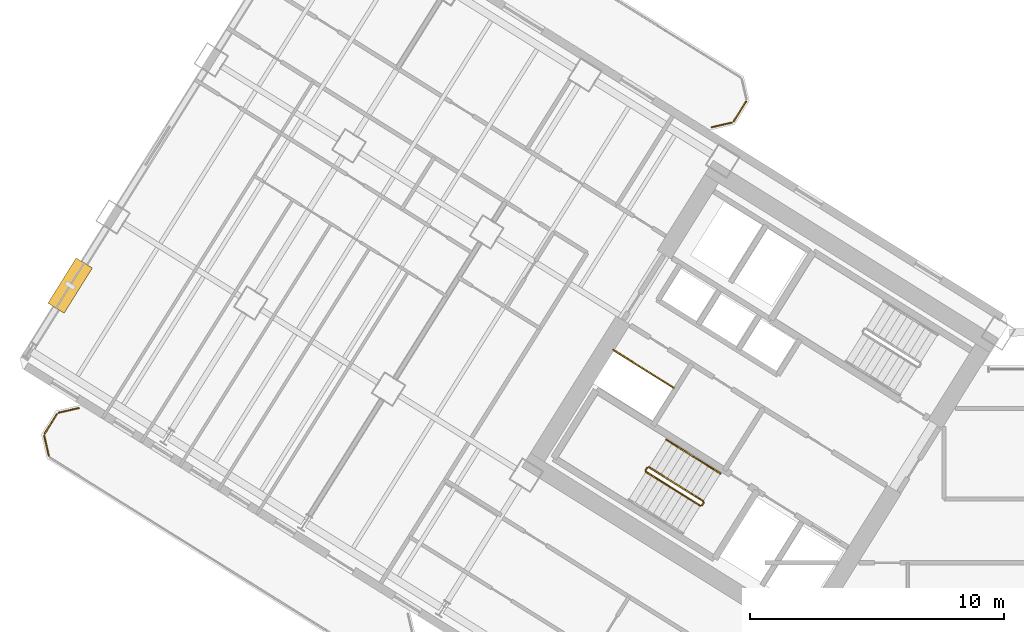
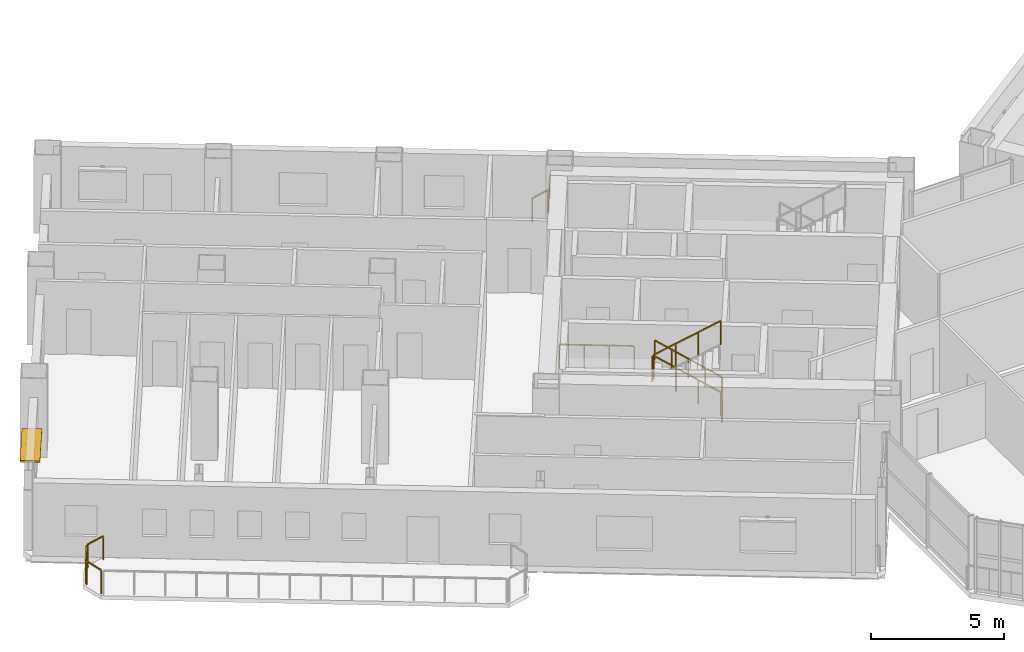
# One storey, part 22 of 24: 12 railings, 1 shading device.
"""IFC4 building model written with IfcOpenShell, lengths in metres."""

import ifcopenshell
import ifcopenshell.guid

model = None  # the IFC model being written
_history = None  # IfcOwnerHistory: only IFC2X3 demands one
_inside = {}  # id of a spatial element -> (the spatial element, [elements in it])
_under = {}  # id of a project, library or spatial element -> (it, [spatial elements below it])
_declared = {}  # id of a project -> (the project, [libraries it declares])
_typed = {}  # id of a type object -> (the type object, [elements of that type])
_made_of = {}  # id of a material, layer set ... -> (it, [elements and type objects made of it])


def new_model(schema):
    """Start an empty IFC model of exactly this schema.

    Asked for "IFC4X3", IfcOpenShell would pick the latest addendum, in which some entities
    have other attributes; the version numbers below select the first issue.
    IFC2X3 requires an IfcOwnerHistory on every rooted entity: one is made here for all.
    """
    global model, _history
    if schema == "IFC4X3":
        model = ifcopenshell.file(schema_version=(4, 3, 0, 0))
    else:
        model = ifcopenshell.file(schema=schema)
    _inside.clear()
    _under.clear()
    _declared.clear()
    _typed.clear()
    _made_of.clear()
    _history = None
    if model.schema == "IFC2X3":
        org = make("IfcOrganization", Name="unknown")
        user = make(
            "IfcPersonAndOrganization",
            ThePerson=make("IfcPerson", FamilyName="unknown"),
            TheOrganization=org,
        )
        app = make(
            "IfcApplication",
            ApplicationDeveloper=org,
            Version="unknown",
            ApplicationFullName="unknown",
            ApplicationIdentifier="unknown",
        )
        _history = make(
            "IfcOwnerHistory",
            OwningUser=user,
            OwningApplication=app,
            ChangeAction="ADDED",
            CreationDate=0,
        )
    return model


def make(cls, **values):
    """One entity of the class cls with the attributes given. An attribute that is None is left unset."""
    return model.create_entity(
        cls, **{name: value for name, value in values.items() if value is not None}
    )


def rooted(cls, **values):
    """An entity with a GlobalId (a new one), such as an element, a storey or a relation."""
    return make(cls, GlobalId=ifcopenshell.guid.new(), OwnerHistory=_history, **values)


def si_unit(unit_type, name, prefix=None):
    """IfcSIUnit, for example si_unit("LENGTHUNIT", "METRE", prefix="MILLI")."""
    return make("IfcSIUnit", UnitType=unit_type, Prefix=prefix, Name=name)


def assignment(units):
    """IfcUnitAssignment: the units of a project."""
    return None if units is None else make("IfcUnitAssignment", Units=units)


def point(xyz):
    """IfcCartesianPoint."""
    return None if xyz is None else make("IfcCartesianPoint", Coordinates=xyz)


def direction(xyz):
    """IfcDirection."""
    return None if xyz is None else make("IfcDirection", DirectionRatios=xyz)


def frame(location, z_axis=None, x_axis=None):
    """IfcAxis2Placement3D, a coordinate frame: its origin and axes. An axis left out is left unset."""
    return make(
        "IfcAxis2Placement3D",
        Location=point(location),
        Axis=direction(z_axis),
        RefDirection=direction(x_axis),
    )


def frame_2d(location, x_axis=None):
    """IfcAxis2Placement2D, a coordinate frame in the plane: its origin and x axis."""
    return make(
        "IfcAxis2Placement2D", Location=point(location), RefDirection=direction(x_axis)
    )


def origin():
    """The frame at (0, 0, 0) with its axes left unset."""
    return frame((0.0, 0.0, 0.0))


def origin_2d():
    """The frame at (0, 0) in the plane with its x axis left unset."""
    return frame_2d((0.0, 0.0))


def place(relative_to, where):
    """IfcLocalPlacement: puts the frame where relative to a parent placement (None: the world)."""
    return make(
        "IfcLocalPlacement", PlacementRelTo=relative_to, RelativePlacement=where
    )


def context(
    kind, dimensions, precision=None, world=None, true_north=None, identifier=None
):
    """IfcGeometricRepresentationContext, for example the 3D "Model" context."""
    return make(
        "IfcGeometricRepresentationContext",
        ContextIdentifier=identifier,
        ContextType=kind,
        CoordinateSpaceDimension=dimensions,
        Precision=precision,
        WorldCoordinateSystem=world,
        TrueNorth=true_north,
    )


def subcontext(parent, identifier, kind, view, scale=None):
    """IfcGeometricRepresentationSubContext, for example "Body" below "Model"."""
    return make(
        "IfcGeometricRepresentationSubContext",
        ContextIdentifier=identifier,
        ContextType=kind,
        ParentContext=parent,
        TargetScale=scale,
        TargetView=view,
    )


def project(units=None, contexts=None):
    """IfcProject with its units and contexts."""
    return rooted(
        "IfcProject",
        Name="project",
        RepresentationContexts=contexts,
        UnitsInContext=assignment(units),
    )


def spatial(cls, under=None, at=None, **own):
    """A site, building, storey or space (cls), placed at a placement, below another one or the project."""
    s = rooted(cls, ObjectPlacement=at, **own)
    if under is not None:
        _under.setdefault(under.id(), (under, []))[1].append(s)
    return s


def profile(cls, at=None, kind="AREA", **sizes):
    """A parametric profile (cls). Its sizes go by their IFC names, for example OverallWidth=200.0."""
    return make(cls, ProfileType=kind, Position=at, **sizes)


def rectangle(**sizes):
    """IfcRectangleProfileDef."""
    return profile("IfcRectangleProfileDef", **sizes)


def extrude(swept, where, along, depth):
    """IfcExtrudedAreaSolid: the profile swept, set in the frame where, extruded along a direction by depth."""
    return make(
        "IfcExtrudedAreaSolid",
        SweptArea=swept,
        Position=where,
        ExtrudedDirection=direction(along),
        Depth=depth,
    )


def shape(context_of_items, identifier, shape_type, items):
    """IfcShapeRepresentation: the items that make up one representation, for example the "Body"."""
    return make(
        "IfcShapeRepresentation",
        ContextOfItems=context_of_items,
        RepresentationIdentifier=identifier,
        RepresentationType=shape_type,
        Items=items,
    )


def source(mapping_origin, context_of_items, identifier, shape_type, items):
    """IfcRepresentationMap: a shape defined once, which mapped items show again and again."""
    return make(
        "IfcRepresentationMap",
        MappingOrigin=mapping_origin,
        MappedRepresentation=shape(context_of_items, identifier, shape_type, items),
    )


def transform(
    local_origin,
    x_axis=None,
    y_axis=None,
    z_axis=None,
    scale=None,
    scale2=None,
    scale3=None,
    uniform=True,
):
    """IfcCartesianTransformationOperator3D, or its non-uniform kind. x_axis, y_axis, z_axis: its Axis1, 2, 3."""
    if uniform:
        return make(
            "IfcCartesianTransformationOperator3D",
            Axis1=direction(x_axis),
            Axis2=direction(y_axis),
            LocalOrigin=point(local_origin),
            Scale=scale,
            Axis3=direction(z_axis),
        )
    return make(
        "IfcCartesianTransformationOperator3DnonUniform",
        Axis1=direction(x_axis),
        Axis2=direction(y_axis),
        LocalOrigin=point(local_origin),
        Scale=scale,
        Axis3=direction(z_axis),
        Scale2=scale2,
        Scale3=scale3,
    )


def mapped(mapping_source, mapping_target):
    """IfcMappedItem: shows the shape of a source again, moved by a transform."""
    return make(
        "IfcMappedItem", MappingSource=mapping_source, MappingTarget=mapping_target
    )


def material(Name=None, Category=None):
    """IfcMaterial."""
    return make("IfcMaterial", Name=Name, Category=Category)


def layer(
    of_material, thickness, ventilated=None, Name=None, Category=None, Priority=None
):
    """IfcMaterialLayer: one layer of a wall or slab, of a material (None: an air gap)."""
    return make(
        "IfcMaterialLayer",
        Material=of_material,
        LayerThickness=thickness,
        IsVentilated=ventilated,
        Name=Name,
        Category=Category,
        Priority=Priority,
    )


def layer_set(layers, Name=None):
    """IfcMaterialLayerSet."""
    return make("IfcMaterialLayerSet", MaterialLayers=layers, LayerSetName=Name)


def made_of(thing, what):
    """Note that an element or type object is made of a material, layer set ...; save() writes the relation."""
    if what is not None:
        _made_of.setdefault(what.id(), (what, []))[1].append(thing)
    return thing


def type_object(cls, material=None, **own):
    """A type object (cls), such as IfcWallType, which elements share."""
    return made_of(rooted(cls, **own), material)


def element(
    cls,
    number,
    at=None,
    inside=None,
    cuts=None,
    type_object=None,
    material=None,
    context=None,
    identifier="Body",
    shape_type=None,
    held_by="IfcProductDefinitionShape",
    body=None,
    shapes=None,
    **own,
):
    """One element of the class cls, such as IfcWall. Its Tag is "e" and its number.

    at: its placement. inside: the storey or other place that contains it. cuts: it is an
    opening in that element (IfcRelVoidsElement). A single representation is given by context,
    identifier, shape_type and body (its items); several are given by shapes. held_by: the class
    of the entity that holds the representations. save() writes the other relations.
    """
    e = rooted(cls, Tag="e%d" % number, ObjectPlacement=at, **own)
    if body is not None:
        shapes = [shape(context, identifier, shape_type, body)]
    if shapes is not None:
        e.Representation = make(held_by, Representations=shapes)
    if inside is not None:
        _inside.setdefault(inside.id(), (inside, []))[1].append(e)
    if cuts is not None:
        rooted(
            "IfcRelVoidsElement", RelatingBuildingElement=cuts, RelatedOpeningElement=e
        )
    if type_object is not None:
        _typed.setdefault(type_object.id(), (type_object, []))[1].append(e)
    return made_of(e, material)


def aggregate(whole, parts):
    """IfcRelAggregates: a whole, such as a stair, and the parts it consists of."""
    return rooted("IfcRelAggregates", RelatingObject=whole, RelatedObjects=parts)


def save(model, path):
    """Write the relations noted so far, then the file.

    IfcRelAggregates (storeys below a building ...), IfcRelContainedInSpatialStructure (elements
    in a storey), IfcRelDefinesByType, IfcRelAssociatesMaterial and IfcRelDeclares: one each for
    every whole, place, type object, material and project.
    """
    for whole, parts in _under.values():
        aggregate(whole, parts)
    for where, things in _inside.values():
        rooted(
            "IfcRelContainedInSpatialStructure",
            RelatedElements=things,
            RelatingStructure=where,
        )
    for kind, things in _typed.values():
        rooted("IfcRelDefinesByType", RelatedObjects=things, RelatingType=kind)
    for what, things in _made_of.values():
        rooted("IfcRelAssociatesMaterial", RelatedObjects=things, RelatingMaterial=what)
    for by, libraries in _declared.values():
        rooted("IfcRelDeclares", RelatingContext=by, RelatedDefinitions=libraries)
    model.write(path)


model = new_model("IFC4")

# Units and contexts
model_context = context("Model", 3, precision=1e-05, world=origin(), true_north=direction((0.0, 1.0)))
body_context = subcontext(model_context, "Body", "Model", "MODEL_VIEW")
ifc_project = project(units=[si_unit("LENGTHUNIT", "METRE"), si_unit("AREAUNIT", "SQUARE_METRE"), si_unit("VOLUMEUNIT", "CUBIC_METRE"), si_unit("PLANEANGLEUNIT", "RADIAN"), si_unit("MASSUNIT", "GRAM", prefix="KILO")], contexts=[model_context])

# Site, building, storey
site_placement = place(None, origin())
site = spatial("IfcSite", under=ifc_project, at=site_placement, CompositionType="ELEMENT")
building_placement = place(site_placement, origin())
building = spatial("IfcBuilding", under=site, at=building_placement, Name="Tlacorven Tower", CompositionType="ELEMENT")
storey_placement = place(building_placement, frame((0.0, 0.0, 31.199951171875)))
storey = spatial("IfcBuildingStorey", under=building, at=storey_placement, Name="L07", CompositionType="ELEMENT", Elevation=31.199951171875)

# Railings
ifc_material_1 = material(Name="Aluminium and painted steel balustrade", Category="steel")
railing_type_1 = type_object("IfcRailingType", Name="RL-GRD-1100", PredefinedType="GUARDRAIL", material=ifc_material_1)
shared_shape_1 = source(origin(), body_context, "Body", "SweptSolid", [
    extrude(rectangle(XDim=0.048095703125, YDim=0.048095703125, at=origin_2d()), frame((0.0, 0.0, 1.076171875), z_axis=(-0.848091358275, 0.529850024081, 0.0), x_axis=(-0.529850024081, -0.848091358275, 0.0)), (0.0, 0.0, 1.0), 2.800048828125),
    extrude(rectangle(XDim=0.0419921875, YDim=0.0419921875, at=origin_2d()), origin(), (0.0, 0.0, 1.0), 1.052001953125),
    extrude(rectangle(XDim=0.0419921875, YDim=0.0419921875, at=origin_2d()), frame((-0.79150390625, 0.49462890625, 0.0)), (0.0, 0.0, 1.0), 1.052001953125),
    extrude(rectangle(XDim=0.0419921875, YDim=0.0419921875, at=origin_2d()), frame((-1.583251953125, 0.989013671875, 0.0)), (0.0, 0.0, 1.0), 1.052001953125),
    extrude(rectangle(XDim=0.0419921875, YDim=0.0419921875, at=origin_2d()), frame((-2.374755859375, 1.483642578125, 0.0)), (0.0, 0.0, 1.0), 1.052001953125),
])
railing_1_placement = place(storey_placement, frame((27.9912109375, 22.32080078125, 0.0)))
element("IfcRailing", 1, at=railing_1_placement, inside=storey, type_object=railing_type_1, Name="L07 Electrical Riser W Shaft Guard 1", PredefinedType="GUARDRAIL", context=body_context, shape_type="MappedRepresentation", body=[
    mapped(shared_shape_1, transform((0.0, 0.0, 0.0), scale=1.0)),
])
railing_type_2 = type_object("IfcRailingType", Name="RL-BAL-1100", PredefinedType="BALUSTRADE", material=ifc_material_1)
shared_shape_2 = source(origin(), body_context, "Body", "SweptSolid", [
    extrude(rectangle(XDim=0.048095703125, YDim=0.048095703125, at=origin_2d()), frame((0.0, 0.0, 1.076171875), z_axis=(-0.52987865805, -0.848073468364, 0.0), x_axis=(0.848073468364, -0.52987865805, 0.0)), (0.0, 0.0, 1.0), 0.912353515625),
    extrude(rectangle(XDim=0.0419921875, YDim=0.0419921875, at=origin_2d()), origin(), (0.0, 0.0, 1.0), 1.052001953125),
    extrude(rectangle(XDim=0.0419921875, YDim=0.0419921875, at=origin_2d()), frame((-0.4833984375, -0.773681640625, 0.0)), (0.0, 0.0, 1.0), 1.052001953125),
])
railing_2_placement = place(storey_placement, frame((30.845947265625, 33.588623046875, 0.0)))
element("IfcRailing", 2, at=railing_2_placement, inside=storey, type_object=railing_type_2, Name="BAL-L07-W-IN Guard Railing 2", PredefinedType="BALUSTRADE", context=body_context, shape_type="MappedRepresentation", body=[
    mapped(shared_shape_2, transform((0.0, 0.0, 0.0), scale=1.0)),
])
shared_shape_3 = source(origin(), body_context, "Body", "SweptSolid", [
    extrude(rectangle(XDim=0.048095703125, YDim=0.048095703125, at=origin_2d()), frame((0.0, 0.0, 1.076171875), z_axis=(-0.225058334816, 0.974345290916, 0.0), x_axis=(-0.974345290916, -0.225058334816, 0.0)), (0.0, 0.0, 1.0), 0.80712890625),
    extrude(rectangle(XDim=0.0419921875, YDim=0.0419921875, at=origin_2d()), origin(), (0.0, 0.0, 1.0), 1.052001953125),
    extrude(rectangle(XDim=0.0419921875, YDim=0.0419921875, at=origin_2d()), frame((-0.181640625, 0.786376953125, 0.0)), (0.0, 0.0, 1.0), 1.052001953125),
])
railing_3_placement = place(storey_placement, frame((3.380859375, 19.62841796875, 0.0)))
element("IfcRailing", 3, at=railing_3_placement, inside=storey, type_object=railing_type_2, Name="BAL-L07-W-OUT Guard Railing 5", PredefinedType="BALUSTRADE", context=body_context, shape_type="MappedRepresentation", body=[
    mapped(shared_shape_3, transform((0.0, 0.0, 0.0), scale=1.0)),
])
shared_shape_4 = source(origin(), body_context, "Body", "SweptSolid", [
    extrude(rectangle(XDim=0.048095703125, YDim=0.048095703125, at=origin_2d()), frame((0.0, 0.0, 1.076171875), z_axis=(0.52987865805, 0.848073468364, 0.0), x_axis=(-0.848073468364, 0.52987865805, 0.0)), (0.0, 0.0, 1.0), 0.912353515625),
    extrude(rectangle(XDim=0.0419921875, YDim=0.0419921875, at=origin_2d()), origin(), (0.0, 0.0, 1.0), 1.052001953125),
    extrude(rectangle(XDim=0.0419921875, YDim=0.0419921875, at=origin_2d()), frame((0.4833984375, 0.773681640625, 0.0)), (0.0, 0.0, 1.0), 1.052001953125),
])
railing_4_placement = place(storey_placement, frame((3.214599609375, 20.505859375, 0.0)))
element("IfcRailing", 4, at=railing_4_placement, inside=storey, type_object=railing_type_2, Name="BAL-L07-W-OUT Guard Railing 6", PredefinedType="BALUSTRADE", context=body_context, shape_type="MappedRepresentation", body=[
    mapped(shared_shape_4, transform((0.0, 0.0, 0.0), scale=1.0)),
])
shared_shape_5 = source(origin(), body_context, "Body", "SweptSolid", [
    extrude(rectangle(XDim=0.048095703125, YDim=0.048095703125, at=origin_2d()), frame((0.0, 0.0, 1.076171875), z_axis=(0.974345290916, 0.225058334816, 0.0), x_axis=(-0.225058334816, 0.974345290916, 0.0)), (0.0, 0.0, 1.0), 0.80712890625),
    extrude(rectangle(XDim=0.0419921875, YDim=0.0419921875, at=origin_2d()), origin(), (0.0, 0.0, 1.0), 1.052001953125),
    extrude(rectangle(XDim=0.0419921875, YDim=0.0419921875, at=origin_2d()), frame((0.786376953125, 0.181640625, 0.0)), (0.0, 0.0, 1.0), 1.052001953125),
])
railing_5_placement = place(storey_placement, frame((3.773193359375, 21.3330078125, 0.0)))
element("IfcRailing", 5, at=railing_5_placement, inside=storey, type_object=railing_type_2, Name="BAL-L07-W-OUT Guard Railing 7", PredefinedType="BALUSTRADE", context=body_context, shape_type="MappedRepresentation", body=[
    mapped(shared_shape_5, transform((0.0, 0.0, 0.0), scale=1.0)),
])
shared_shape_6 = source(origin(), body_context, "Body", "SweptSolid", [
    extrude(rectangle(XDim=0.048095703125, YDim=0.048095703125, at=origin_2d()), frame((0.0, 0.0, 1.076171875), z_axis=(-0.974345290916, -0.225058334816, 0.0), x_axis=(0.225058334816, -0.974345290916, 0.0)), (0.0, 0.0, 1.0), 0.80712890625),
    extrude(rectangle(XDim=0.0419921875, YDim=0.0419921875, at=origin_2d()), origin(), (0.0, 0.0, 1.0), 1.052001953125),
    extrude(rectangle(XDim=0.0419921875, YDim=0.0419921875, at=origin_2d()), frame((-0.786376953125, -0.181640625, 0.0)), (0.0, 0.0, 1.0), 1.052001953125),
])
railing_6_placement = place(storey_placement, frame((30.287353515625, 32.761474609375, 0.0)))
element("IfcRailing", 6, at=railing_6_placement, inside=storey, type_object=railing_type_2, Name="BAL-L07-W-IN Guard Railing 3", PredefinedType="BALUSTRADE", context=body_context, shape_type="MappedRepresentation", body=[
    mapped(shared_shape_6, transform((0.0, 0.0, 0.0), scale=1.0)),
])

# Shading device
ifc_material_2 = material(Name="Anodised bronze aluminium sunshade", Category="aluminium")
ifc_layer = layer(ifc_material_2, 0.080078125)
ifc_layer_set = layer_set([ifc_layer], Name="Anodised bronze aluminium sunshade")
shading_device_type = type_object("IfcShadingDeviceType", Name="SH-SUN-BRZ", PredefinedType="AWNING", material=ifc_layer_set)
shared_shape_7 = source(origin(), body_context, "Body", "SweptSolid", [
    extrude(rectangle(XDim=2.10009765625, YDim=0.75, at=origin_2d()), origin(), (0.0, 0.0, 1.0), 0.080078125),
])
shading_device_placement = place(storey_placement, frame((4.219482421875, 26.341064453125, 2.3701171875), z_axis=(0.0, 0.0, 1.0), x_axis=(0.529918940959, 0.84804829816, 0.0)))
element("IfcShadingDevice", 7, at=shading_device_placement, inside=storey, type_object=shading_device_type, Name="L07 Solar Brise-Soleil Sunshade L07-02.1", PredefinedType="AWNING", context=body_context, shape_type="MappedRepresentation", body=[
    mapped(shared_shape_7, transform((0.0, 0.0, 0.0), scale=1.0)),
])

# Railings
shared_shape_8 = source(origin(), body_context, "Body", "SweptSolid", [
    extrude(rectangle(XDim=0.048095703125, YDim=0.048095703125, at=origin_2d()), frame((0.0, 0.0, 1.076171875), z_axis=(-0.529084052582, -0.848569422795, 0.0), x_axis=(0.848569422795, -0.529084052582, 0.0)), (0.0, 0.0, 1.0), 0.119873046875),
    extrude(rectangle(XDim=0.0419921875, YDim=0.0419921875, at=origin_2d()), origin(), (0.0, 0.0, 1.0), 1.052001953125),
    extrude(rectangle(XDim=0.0419921875, YDim=0.0419921875, at=origin_2d()), frame((-0.0634765625, -0.101806640625, 0.0)), (0.0, 0.0, 1.0), 1.052001953125),
])
railing_7_placement = place(storey_placement, frame((29.176513671875, 17.782958984375, 0.0)))
element("IfcRailing", 8, at=railing_7_placement, inside=storey, type_object=railing_type_1, Name="L07 ST-W1 stair guard 4", PredefinedType="GUARDRAIL", context=body_context, shape_type="MappedRepresentation", body=[
    mapped(shared_shape_8, transform((0.0, 0.0, 0.0), scale=1.0)),
])
shared_shape_9 = source(origin(), body_context, "Body", "SweptSolid", [
    extrude(rectangle(XDim=0.048095703125, YDim=0.048095703125, at=origin_2d()), frame((0.0, 0.0, 1.076171875), z_axis=(-0.713319727316, 0.445773895627, 0.540796265334), x_axis=(-0.529955395941, -0.84802551749, 0.0)), (0.0, 0.0, 1.0), 2.995849609375),
    extrude(rectangle(XDim=0.0419921875, YDim=0.0419921875, at=origin_2d()), origin(), (0.0, 0.0, 1.0), 1.052001953125),
    extrude(rectangle(XDim=0.0419921875, YDim=0.0419921875, at=origin_2d()), frame((-0.71240234375, 0.445068359375, 0.5400390625)), (0.0, 0.0, 1.0), 1.052001953125),
    extrude(rectangle(XDim=0.0419921875, YDim=0.0419921875, at=origin_2d()), frame((-1.424560546875, 0.890380859375, 1.080078125)), (0.0, 0.0, 1.0), 1.052001953125),
    extrude(rectangle(XDim=0.0419921875, YDim=0.0419921875, at=origin_2d()), frame((-2.136962890625, 1.33544921875, 1.6201171875)), (0.0, 0.0, 1.0), 1.052001953125),
])
railing_8_placement = place(storey_placement, frame((29.16064453125, 17.851806640625, 0.179931640625)))
element("IfcRailing", 9, at=railing_8_placement, inside=storey, type_object=railing_type_1, Name="L07 ST-W1 stair guard 1", PredefinedType="GUARDRAIL", context=body_context, shape_type="MappedRepresentation", body=[
    mapped(shared_shape_9, transform((0.0, 0.0, 0.0), scale=1.0)),
])
shared_shape_10 = source(origin(), body_context, "Body", "SweptSolid", [
    extrude(rectangle(XDim=0.048095703125, YDim=0.048095703125, at=origin_2d()), frame((0.0, 0.0, 1.076171875), z_axis=(-0.530546985787, -0.847655529016, 0.0), x_axis=(0.847655529016, -0.530546985787, 0.0)), (0.0, 0.0, 1.0), 0.1201171875),
    extrude(rectangle(XDim=0.0419921875, YDim=0.0419921875, at=origin_2d()), origin(), (0.0, 0.0, 1.0), 1.052001953125),
    extrude(rectangle(XDim=0.0419921875, YDim=0.0419921875, at=origin_2d()), frame((-0.063720703125, -0.101806640625, 0.0)), (0.0, 0.0, 1.0), 1.052001953125),
])
railing_9_placement = place(storey_placement, frame((26.954833984375, 19.17138671875, 1.800048828125)))
element("IfcRailing", 10, at=railing_9_placement, inside=storey, type_object=railing_type_1, Name="L07 ST-W1 stair guard 2", PredefinedType="GUARDRAIL", context=body_context, shape_type="MappedRepresentation", body=[
    mapped(shared_shape_10, transform((0.0, 0.0, 0.0), scale=1.0)),
])
shared_shape_11 = source(origin(), body_context, "Body", "SweptSolid", [
    extrude(rectangle(XDim=0.048095703125, YDim=0.048095703125, at=origin_2d()), frame((0.0, 0.0, 1.076171875), z_axis=(0.713359751793, -0.4457479829, 0.540764828981), x_axis=(0.529911857636, 0.848052724267, 0.0)), (0.0, 0.0, 1.0), 2.99609375),
    extrude(rectangle(XDim=0.0419921875, YDim=0.0419921875, at=origin_2d()), origin(), (0.0, 0.0, 1.0), 1.052001953125),
    extrude(rectangle(XDim=0.0419921875, YDim=0.0419921875, at=origin_2d()), frame((0.71240234375, -0.445068359375, 0.5400390625)), (0.0, 0.0, 1.0), 1.052001953125),
    extrude(rectangle(XDim=0.0419921875, YDim=0.0419921875, at=origin_2d()), frame((1.4248046875, -0.890380859375, 1.080078125)), (0.0, 0.0, 1.0), 1.052001953125),
    extrude(rectangle(XDim=0.0419921875, YDim=0.0419921875, at=origin_2d()), frame((2.13720703125, -1.33544921875, 1.6201171875)), (0.0, 0.0, 1.0), 1.052001953125),
])
railing_10_placement = place(storey_placement, frame((26.906982421875, 19.000732421875, 1.97998046875)))
element("IfcRailing", 11, at=railing_10_placement, inside=storey, type_object=railing_type_1, Name="L07 ST-W1 stair guard 3", PredefinedType="GUARDRAIL", context=body_context, shape_type="MappedRepresentation", body=[
    mapped(shared_shape_11, transform((0.0, 0.0, 0.0), scale=1.0)),
])
railing_type_3 = type_object("IfcRailingType", Name="RL-HND-0900", PredefinedType="HANDRAIL", material=ifc_material_1)
shared_shape_12 = source(origin(), body_context, "Body", "SweptSolid", [
    extrude(rectangle(XDim=0.048095703125, YDim=0.048095703125, at=origin_2d()), frame((0.0, 0.0, 0.8759765625), z_axis=(-0.713359751793, 0.4457479829, 0.540764828981), x_axis=(-0.529911857636, -0.848052724267, 0.0)), (0.0, 0.0, 1.0), 1.498046875),
    extrude(rectangle(XDim=0.0419921875, YDim=0.0419921875, at=origin_2d()), origin(), (0.0, 0.0, 1.0), 0.851806640625),
    extrude(rectangle(XDim=0.0419921875, YDim=0.0419921875, at=origin_2d()), frame((-0.5341796875, 0.333984375, 0.405029296875)), (0.0, 0.0, 1.0), 0.851806640625),
    extrude(rectangle(XDim=0.0419921875, YDim=0.0419921875, at=origin_2d()), frame((-1.068603515625, 0.667724609375, 0.81005859375)), (0.0, 0.0, 1.0), 0.851806640625),
])
for number, where, name in (
    (12, (29.839111328125, 18.937255859375, 0.179931640625), "L07 ST-W1 stair handrail 1"),
    (13, (28.7705078125, 19.60498046875, 0.989990234375), "L07 ST-W1 stair handrail 2"),
):
    element("IfcRailing", number, at=place(storey_placement, frame(where)), inside=storey, type_object=railing_type_3, Name=name, PredefinedType="HANDRAIL", context=body_context, shape_type="MappedRepresentation", body=[
        mapped(shared_shape_12, transform((0.0, 0.0, 0.0), scale=1.0)),
    ])

save(model, "model.ifc")
